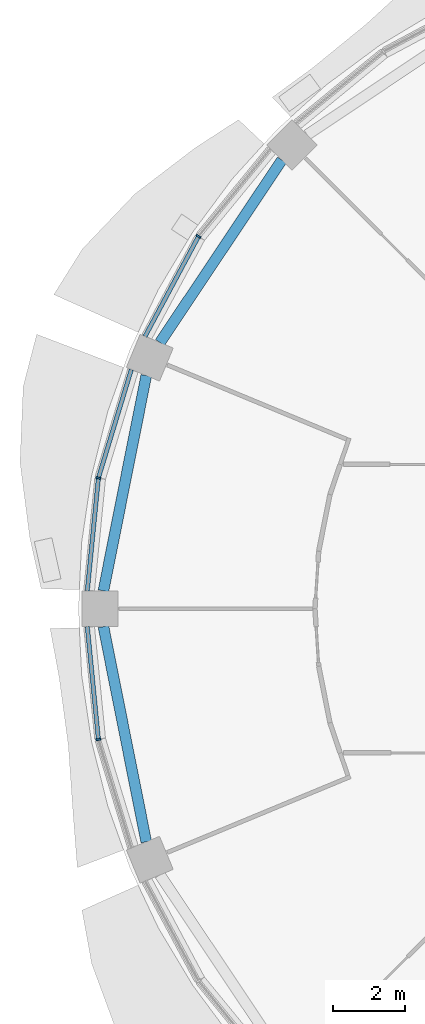
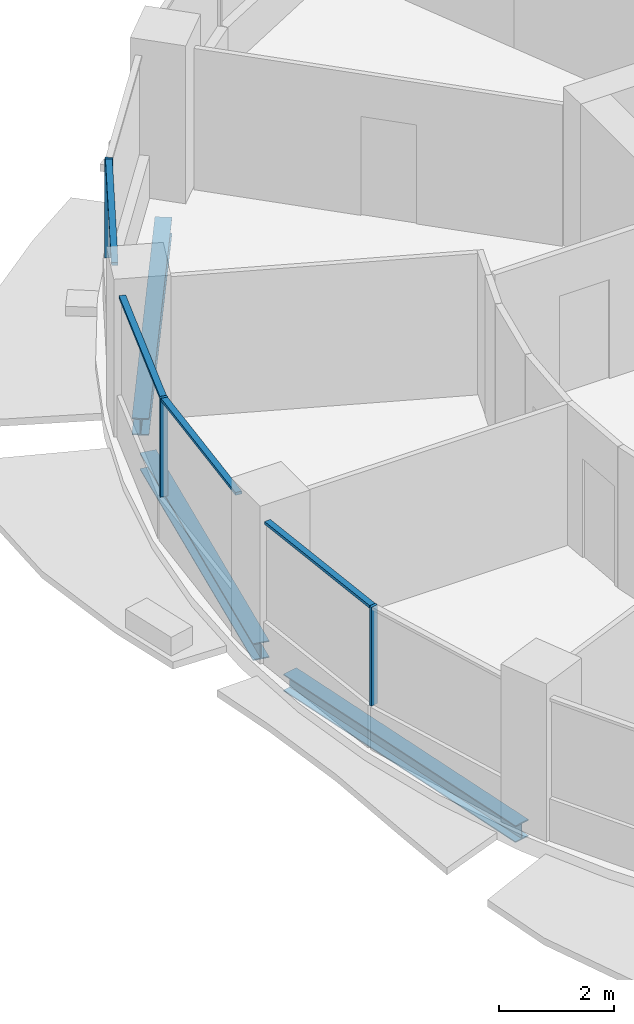
# One storey, part 4 of 14: 7 members, 3 beams, 3 elements without a shape of their own.
"""IFC4 building model written with IfcOpenShell, lengths in metres."""

from ifc_helpers import new_model, si_unit, direction, frame, origin, origin_2d, place, context, subcontext, project, spatial, rectangle, i_section, extrude, material, material_profile, profile_set, type_object, element, aggregate, save


model = new_model("IFC4")

# Units and contexts
model_context = context("Model", 3, precision=1e-05, world=origin(), true_north=direction((0.0, 1.0)))
body_context = subcontext(model_context, "Body", "Model", "MODEL_VIEW")
ifc_project = project(units=[si_unit("LENGTHUNIT", "METRE"), si_unit("AREAUNIT", "SQUARE_METRE"), si_unit("VOLUMEUNIT", "CUBIC_METRE"), si_unit("PLANEANGLEUNIT", "RADIAN"), si_unit("MASSUNIT", "GRAM", prefix="KILO")], contexts=[model_context])

# Site, building, storey
site_placement = place(None, origin())
site = spatial("IfcSite", under=ifc_project, at=site_placement, CompositionType="ELEMENT")
building_placement = place(site_placement, origin())
building = spatial("IfcBuilding", under=site, at=building_placement, Name="Polderwave Tower", CompositionType="ELEMENT")
storey_placement = place(building_placement, frame((0.0, 0.0, 147.75)))
storey = spatial("IfcBuildingStorey", under=building, at=storey_placement, Name="L39", CompositionType="ELEMENT", Elevation=147.75)

# Curtain wall, member
ifc_material_1 = material(Name="Aluminium 6063-T6 and glass", Category="aluminium")
curtain_wall_type = type_object("IfcCurtainWallType", Name="Office ribbon glazing wall", PredefinedType="NOTDEFINED", material=ifc_material_1)
curtain_wall_1_placement = place(storey_placement, origin())
curtain_wall_1 = element("IfcCurtainWall", 1, at=curtain_wall_1_placement, inside=storey, type_object=curtain_wall_type, Name="CW3 L39 06", PredefinedType="NOTDEFINED")
ifc_material_2 = material(Name="Aluminium 6063-T6", Category="aluminium")
ifc_material_profile_1 = material_profile(ifc_material_2, rectangle(XDim=0.139892578125, YDim=0.054931640625, at=origin_2d()), Name="AL 55x140")
ifc_profile_set_1 = profile_set([ifc_material_profile_1], Name="Aluminium 6063-T6")
member_type_1 = type_object("IfcMemberType", Name="Office ribbon glazing mullion 55x140", PredefinedType="MULLION", material=ifc_profile_set_1)
member_1_placement = place(storey_placement, frame((-15.548095703125, 10.388916015625, 0.89990234375), z_axis=(0.0, 0.0, 1.0), x_axis=(0.831508396395, -0.555512184136, 0.0)))
member_1 = element("IfcMember", 2, at=member_1_placement, type_object=member_type_1, Name="CW3 mullion 1", PredefinedType="MULLION", context=body_context, shape_type="SweptSolid", body=[
    extrude(rectangle(XDim=0.139892578125, YDim=0.054931640625, at=origin_2d()), origin(), (0.0, 0.0, 1.0), 2.10009765625),
])

curtain_wall_2_placement = place(storey_placement, origin())
curtain_wall_2 = element("IfcCurtainWall", 3, at=curtain_wall_2_placement, inside=storey, type_object=curtain_wall_type, Name="CW3 L39 07", PredefinedType="NOTDEFINED")
member_2_placement = place(storey_placement, frame((-18.341064453125, 3.64794921875, 0.89990234375), z_axis=(0.0, 0.0, 1.0), x_axis=(0.980764163857, -0.195196452055, 0.0)))
member_2 = element("IfcMember", 4, at=member_2_placement, type_object=member_type_1, Name="CW3 mullion 1", PredefinedType="MULLION", context=body_context, shape_type="SweptSolid", body=[
    extrude(rectangle(XDim=0.139892578125, YDim=0.054931640625, at=origin_2d()), origin(), (0.0, 0.0, 1.0), 2.10009765625),
])

curtain_wall_3_placement = place(storey_placement, origin())
curtain_wall_3 = element("IfcCurtainWall", 5, at=curtain_wall_3_placement, inside=storey, type_object=curtain_wall_type, Name="CW3 L39 08", PredefinedType="NOTDEFINED")
member_3_placement = place(storey_placement, frame((-18.341064453125, -3.64794921875, 0.89990234375), z_axis=(0.0, 0.0, 1.0), x_axis=(0.980764163857, 0.195196452055, 0.0)))
member_3 = element("IfcMember", 6, at=member_3_placement, type_object=member_type_1, Name="CW3 mullion 1", PredefinedType="MULLION", context=body_context, shape_type="SweptSolid", body=[
    extrude(rectangle(XDim=0.139892578125, YDim=0.054931640625, at=origin_2d()), origin(), (0.0, 0.0, 1.0), 2.10009765625),
])

# Member
ifc_material_profile_2 = material_profile(ifc_material_2, rectangle(XDim=0.1201171875, YDim=0.06005859375, at=origin_2d()), Name="AL 60x120")
ifc_profile_set_2 = profile_set([ifc_material_profile_2], Name="Aluminium 6063-T6")
member_type_2 = type_object("IfcMemberType", Name="Office ribbon glazing transom 60x120", PredefinedType="USERDEFINED", material=ifc_profile_set_2)
member_4_placement = place(storey_placement, frame((-15.56103515625, 10.36474609375, 2.969970703125), z_axis=(-0.471581867996, -0.881822284691, 0.0), x_axis=(0.881822284691, -0.471581867996, 0.0)))
member_4 = element("IfcMember", 7, at=member_4_placement, type_object=member_type_2, Name="CW3 transom 2", ObjectType="TRANSOM", PredefinedType="USERDEFINED", context=body_context, shape_type="SweptSolid", body=[
    extrude(rectangle(XDim=0.1201171875, YDim=0.06005859375, at=origin_2d()), origin(), (0.0, 0.0, 1.0), 3.13623046875),
])

aggregate(curtain_wall_1, [member_1, member_4])

member_5_placement = place(storey_placement, frame((-17.422119140625, 6.675048828125, 2.969970703125), z_axis=(-0.290467601512, -0.956884827172, 0.0), x_axis=(0.956884827172, -0.290467601512, 0.0)))
member_5 = element("IfcMember", 8, at=member_5_placement, type_object=member_type_2, Name="CW3 transom 1", ObjectType="TRANSOM", PredefinedType="USERDEFINED", context=body_context, shape_type="SweptSolid", body=[
    extrude(rectangle(XDim=0.1201171875, YDim=0.06005859375, at=origin_2d()), origin(), (0.0, 0.0, 1.0), 3.135986328125),
])

member_6_placement = place(storey_placement, frame((-18.34375, 3.62060546875, 2.969970703125), z_axis=(-0.097946420382, -0.995191689442, 0.0), x_axis=(0.995191689442, -0.097946420382, 0.0)))
member_6 = element("IfcMember", 9, at=member_6_placement, type_object=member_type_2, Name="CW3 transom 2", ObjectType="TRANSOM", PredefinedType="USERDEFINED", context=body_context, shape_type="SweptSolid", body=[
    extrude(rectangle(XDim=0.1201171875, YDim=0.06005859375, at=origin_2d()), origin(), (0.0, 0.0, 1.0), 3.1357421875),
])

aggregate(curtain_wall_2, [member_2, member_5, member_6])

member_7_placement = place(storey_placement, frame((-18.65087890625, -0.5, 2.969970703125), z_axis=(0.097946420382, -0.995191689442, 0.0), x_axis=(0.995191689442, 0.097946420382, 0.0)))
member_7 = element("IfcMember", 10, at=member_7_placement, type_object=member_type_2, Name="CW3 transom 1", ObjectType="TRANSOM", PredefinedType="USERDEFINED", context=body_context, shape_type="SweptSolid", body=[
    extrude(rectangle(XDim=0.1201171875, YDim=0.06005859375, at=origin_2d()), origin(), (0.0, 0.0, 1.0), 3.1357421875),
])

aggregate(curtain_wall_3, [member_3, member_7])

# Beams
ifc_material_3 = material(Name="Steel S355", Category="steel")
ifc_material_profile_3 = material_profile(ifc_material_3, i_section(OverallWidth=0.300048828125, OverallDepth=0.360107421875, WebThickness=0.012451171875, FlangeThickness=0.0224609375, at=origin_2d()), Name="HE 360 B")
ifc_profile_set_3 = profile_set([ifc_material_profile_3], Name="Steel S355")
beam_type = type_object("IfcBeamType", Name="RING BEAM HE 360 B", PredefinedType="BEAM", material=ifc_profile_set_3)
beam_placement = place(storey_placement, frame((-13.223388671875, 12.51611328125, -0.530029296875), z_axis=(-0.555565167003, -0.831472997284, 0.0), x_axis=(0.831472997284, -0.555565167003, 0.0)))
element("IfcBeam", 11, at=beam_placement, inside=storey, type_object=beam_type, Name="ST-RB-L39-06", PredefinedType="BEAM", context=body_context, shape_type="SweptSolid", body=[
    extrude(i_section(OverallWidth=0.300048828125, OverallDepth=0.360107421875, WebThickness=0.012451171875, FlangeThickness=0.0224609375, at=origin_2d()), origin(), (0.0, 0.0, 1.0), 6.12060546875),
])
for number, where, z_axis, x_axis, name in (
    (12, (-17.00634765625, 6.503173828125, -0.530029296875), (-0.195088165617, -0.980785709335, 0.0), (0.980785709335, -0.195088165617, 0.0), "ST-RB-L39-07"),
    (13, (-18.200439453125, -0.5, -0.530029296875), (0.195088165617, -0.980785709335, 0.0), (0.980785709335, 0.195088165617, 0.0), "ST-RB-L39-08"),
):
    element("IfcBeam", number, at=place(storey_placement, frame(where, z_axis=z_axis, x_axis=x_axis)), inside=storey, type_object=beam_type, Name=name, PredefinedType="BEAM", context=body_context, shape_type="SweptSolid", body=[
        extrude(i_section(OverallWidth=0.300048828125, OverallDepth=0.360107421875, WebThickness=0.012451171875, FlangeThickness=0.0224609375, at=origin_2d()), origin(), (0.0, 0.0, 1.0), 6.120849609375),
    ])

save(model, "model.ifc")
